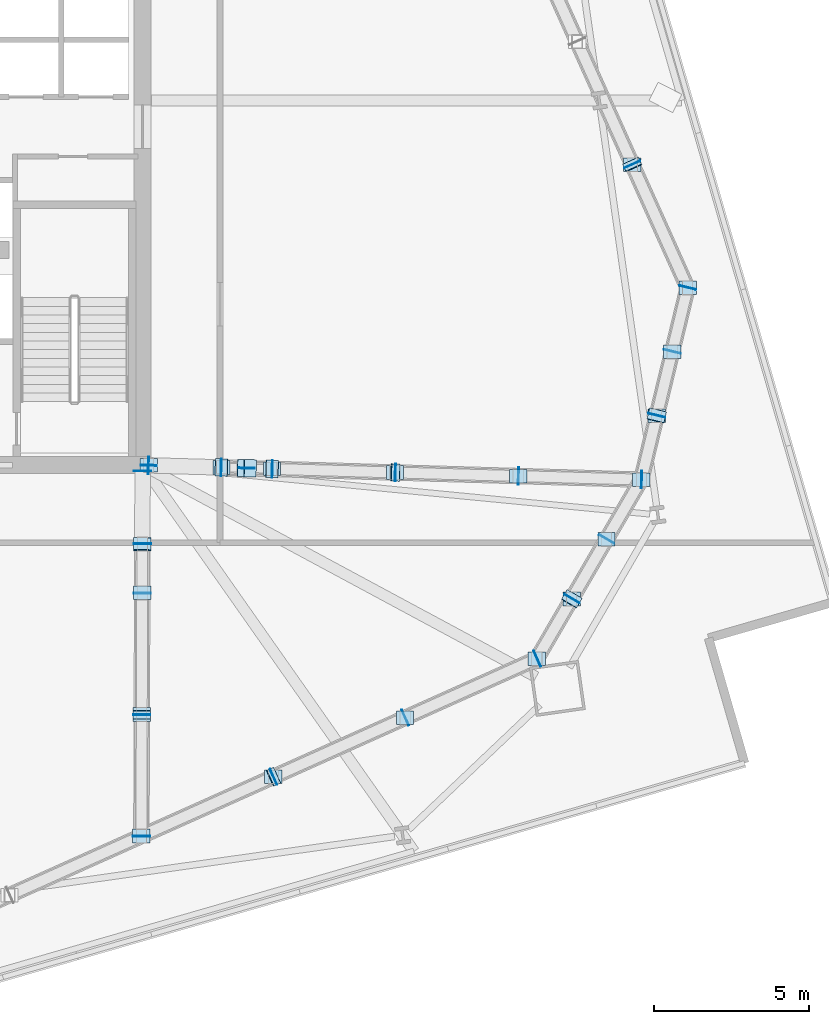
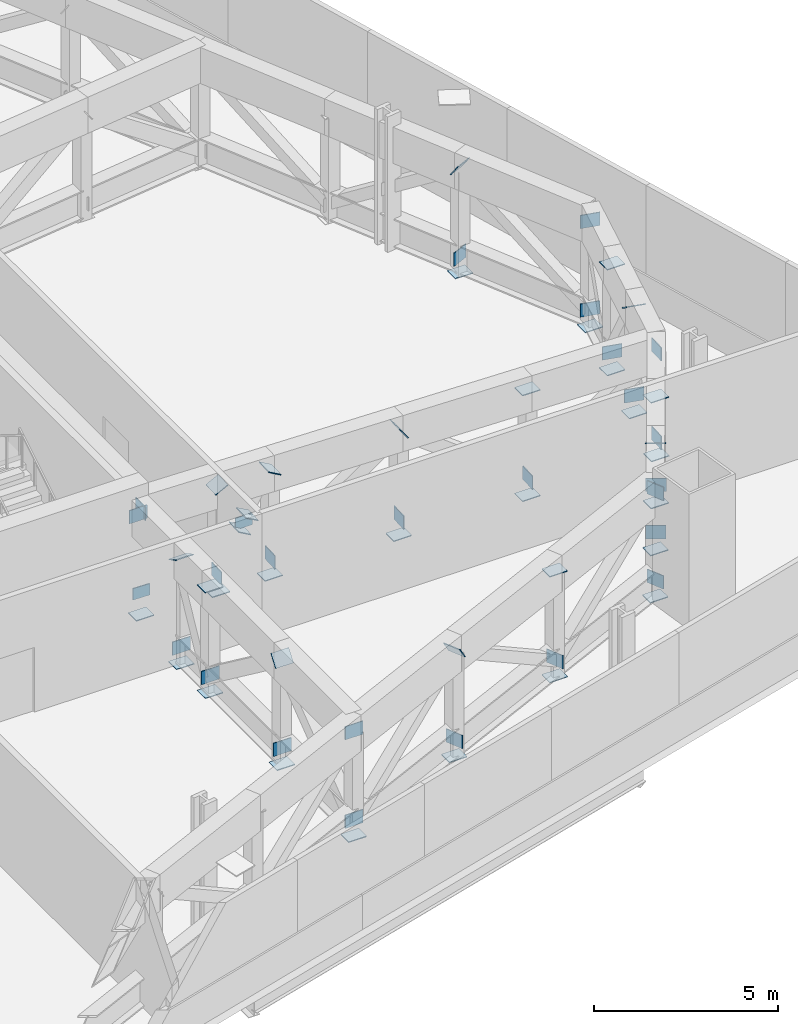
# One storey, part 9 of 19: 61 plates.
"""IFC4 building model written with IfcOpenShell, lengths in metres."""

import ifcopenshell
import ifcopenshell.guid

model = None  # the IFC model being written
_history = None  # IfcOwnerHistory: only IFC2X3 demands one
_inside = {}  # id of a spatial element -> (the spatial element, [elements in it])
_under = {}  # id of a project, library or spatial element -> (it, [spatial elements below it])
_declared = {}  # id of a project -> (the project, [libraries it declares])
_typed = {}  # id of a type object -> (the type object, [elements of that type])
_made_of = {}  # id of a material, layer set ... -> (it, [elements and type objects made of it])


def new_model(schema):
    """Start an empty IFC model of exactly this schema.

    Asked for "IFC4X3", IfcOpenShell would pick the latest addendum, in which some entities
    have other attributes; the version numbers below select the first issue.
    IFC2X3 requires an IfcOwnerHistory on every rooted entity: one is made here for all.
    """
    global model, _history
    if schema == "IFC4X3":
        model = ifcopenshell.file(schema_version=(4, 3, 0, 0))
    else:
        model = ifcopenshell.file(schema=schema)
    _inside.clear()
    _under.clear()
    _declared.clear()
    _typed.clear()
    _made_of.clear()
    _history = None
    if model.schema == "IFC2X3":
        org = make("IfcOrganization", Name="unknown")
        user = make(
            "IfcPersonAndOrganization",
            ThePerson=make("IfcPerson", FamilyName="unknown"),
            TheOrganization=org,
        )
        app = make(
            "IfcApplication",
            ApplicationDeveloper=org,
            Version="unknown",
            ApplicationFullName="unknown",
            ApplicationIdentifier="unknown",
        )
        _history = make(
            "IfcOwnerHistory",
            OwningUser=user,
            OwningApplication=app,
            ChangeAction="ADDED",
            CreationDate=0,
        )
    return model


def make(cls, **values):
    """One entity of the class cls with the attributes given. An attribute that is None is left unset."""
    return model.create_entity(
        cls, **{name: value for name, value in values.items() if value is not None}
    )


def rooted(cls, **values):
    """An entity with a GlobalId (a new one), such as an element, a storey or a relation."""
    return make(cls, GlobalId=ifcopenshell.guid.new(), OwnerHistory=_history, **values)


def si_unit(unit_type, name, prefix=None):
    """IfcSIUnit, for example si_unit("LENGTHUNIT", "METRE", prefix="MILLI")."""
    return make("IfcSIUnit", UnitType=unit_type, Prefix=prefix, Name=name)


def assignment(units):
    """IfcUnitAssignment: the units of a project."""
    return None if units is None else make("IfcUnitAssignment", Units=units)


def point(xyz):
    """IfcCartesianPoint."""
    return None if xyz is None else make("IfcCartesianPoint", Coordinates=xyz)


def direction(xyz):
    """IfcDirection."""
    return None if xyz is None else make("IfcDirection", DirectionRatios=xyz)


def frame(location, z_axis=None, x_axis=None):
    """IfcAxis2Placement3D, a coordinate frame: its origin and axes. An axis left out is left unset."""
    return make(
        "IfcAxis2Placement3D",
        Location=point(location),
        Axis=direction(z_axis),
        RefDirection=direction(x_axis),
    )


def frame_2d(location, x_axis=None):
    """IfcAxis2Placement2D, a coordinate frame in the plane: its origin and x axis."""
    return make(
        "IfcAxis2Placement2D", Location=point(location), RefDirection=direction(x_axis)
    )


def origin():
    """The frame at (0, 0, 0) with its axes left unset."""
    return frame((0.0, 0.0, 0.0))


def origin_2d():
    """The frame at (0, 0) in the plane with its x axis left unset."""
    return frame_2d((0.0, 0.0))


def place(relative_to, where):
    """IfcLocalPlacement: puts the frame where relative to a parent placement (None: the world)."""
    return make(
        "IfcLocalPlacement", PlacementRelTo=relative_to, RelativePlacement=where
    )


def context(
    kind, dimensions, precision=None, world=None, true_north=None, identifier=None
):
    """IfcGeometricRepresentationContext, for example the 3D "Model" context."""
    return make(
        "IfcGeometricRepresentationContext",
        ContextIdentifier=identifier,
        ContextType=kind,
        CoordinateSpaceDimension=dimensions,
        Precision=precision,
        WorldCoordinateSystem=world,
        TrueNorth=true_north,
    )


def subcontext(parent, identifier, kind, view, scale=None):
    """IfcGeometricRepresentationSubContext, for example "Body" below "Model"."""
    return make(
        "IfcGeometricRepresentationSubContext",
        ContextIdentifier=identifier,
        ContextType=kind,
        ParentContext=parent,
        TargetScale=scale,
        TargetView=view,
    )


def project(units=None, contexts=None):
    """IfcProject with its units and contexts."""
    return rooted(
        "IfcProject",
        Name="project",
        RepresentationContexts=contexts,
        UnitsInContext=assignment(units),
    )


def spatial(cls, under=None, at=None, **own):
    """A site, building, storey or space (cls), placed at a placement, below another one or the project."""
    s = rooted(cls, ObjectPlacement=at, **own)
    if under is not None:
        _under.setdefault(under.id(), (under, []))[1].append(s)
    return s


def profile(cls, at=None, kind="AREA", **sizes):
    """A parametric profile (cls). Its sizes go by their IFC names, for example OverallWidth=200.0."""
    return make(cls, ProfileType=kind, Position=at, **sizes)


def rectangle(**sizes):
    """IfcRectangleProfileDef."""
    return profile("IfcRectangleProfileDef", **sizes)


def extrude(swept, where, along, depth):
    """IfcExtrudedAreaSolid: the profile swept, set in the frame where, extruded along a direction by depth."""
    return make(
        "IfcExtrudedAreaSolid",
        SweptArea=swept,
        Position=where,
        ExtrudedDirection=direction(along),
        Depth=depth,
    )


def shape(context_of_items, identifier, shape_type, items):
    """IfcShapeRepresentation: the items that make up one representation, for example the "Body"."""
    return make(
        "IfcShapeRepresentation",
        ContextOfItems=context_of_items,
        RepresentationIdentifier=identifier,
        RepresentationType=shape_type,
        Items=items,
    )


def source(mapping_origin, context_of_items, identifier, shape_type, items):
    """IfcRepresentationMap: a shape defined once, which mapped items show again and again."""
    return make(
        "IfcRepresentationMap",
        MappingOrigin=mapping_origin,
        MappedRepresentation=shape(context_of_items, identifier, shape_type, items),
    )


def transform(
    local_origin,
    x_axis=None,
    y_axis=None,
    z_axis=None,
    scale=None,
    scale2=None,
    scale3=None,
    uniform=True,
):
    """IfcCartesianTransformationOperator3D, or its non-uniform kind. x_axis, y_axis, z_axis: its Axis1, 2, 3."""
    if uniform:
        return make(
            "IfcCartesianTransformationOperator3D",
            Axis1=direction(x_axis),
            Axis2=direction(y_axis),
            LocalOrigin=point(local_origin),
            Scale=scale,
            Axis3=direction(z_axis),
        )
    return make(
        "IfcCartesianTransformationOperator3DnonUniform",
        Axis1=direction(x_axis),
        Axis2=direction(y_axis),
        LocalOrigin=point(local_origin),
        Scale=scale,
        Axis3=direction(z_axis),
        Scale2=scale2,
        Scale3=scale3,
    )


def mapped(mapping_source, mapping_target):
    """IfcMappedItem: shows the shape of a source again, moved by a transform."""
    return make(
        "IfcMappedItem", MappingSource=mapping_source, MappingTarget=mapping_target
    )


def material(Name=None, Category=None):
    """IfcMaterial."""
    return make("IfcMaterial", Name=Name, Category=Category)


def layer(
    of_material, thickness, ventilated=None, Name=None, Category=None, Priority=None
):
    """IfcMaterialLayer: one layer of a wall or slab, of a material (None: an air gap)."""
    return make(
        "IfcMaterialLayer",
        Material=of_material,
        LayerThickness=thickness,
        IsVentilated=ventilated,
        Name=Name,
        Category=Category,
        Priority=Priority,
    )


def layer_set(layers, Name=None):
    """IfcMaterialLayerSet."""
    return make("IfcMaterialLayerSet", MaterialLayers=layers, LayerSetName=Name)


def made_of(thing, what):
    """Note that an element or type object is made of a material, layer set ...; save() writes the relation."""
    if what is not None:
        _made_of.setdefault(what.id(), (what, []))[1].append(thing)
    return thing


def type_object(cls, material=None, **own):
    """A type object (cls), such as IfcWallType, which elements share."""
    return made_of(rooted(cls, **own), material)


def element(
    cls,
    number,
    at=None,
    inside=None,
    cuts=None,
    type_object=None,
    material=None,
    context=None,
    identifier="Body",
    shape_type=None,
    held_by="IfcProductDefinitionShape",
    body=None,
    shapes=None,
    **own,
):
    """One element of the class cls, such as IfcWall. Its Tag is "e" and its number.

    at: its placement. inside: the storey or other place that contains it. cuts: it is an
    opening in that element (IfcRelVoidsElement). A single representation is given by context,
    identifier, shape_type and body (its items); several are given by shapes. held_by: the class
    of the entity that holds the representations. save() writes the other relations.
    """
    e = rooted(cls, Tag="e%d" % number, ObjectPlacement=at, **own)
    if body is not None:
        shapes = [shape(context, identifier, shape_type, body)]
    if shapes is not None:
        e.Representation = make(held_by, Representations=shapes)
    if inside is not None:
        _inside.setdefault(inside.id(), (inside, []))[1].append(e)
    if cuts is not None:
        rooted(
            "IfcRelVoidsElement", RelatingBuildingElement=cuts, RelatedOpeningElement=e
        )
    if type_object is not None:
        _typed.setdefault(type_object.id(), (type_object, []))[1].append(e)
    return made_of(e, material)


def aggregate(whole, parts):
    """IfcRelAggregates: a whole, such as a stair, and the parts it consists of."""
    return rooted("IfcRelAggregates", RelatingObject=whole, RelatedObjects=parts)


def save(model, path):
    """Write the relations noted so far, then the file.

    IfcRelAggregates (storeys below a building ...), IfcRelContainedInSpatialStructure (elements
    in a storey), IfcRelDefinesByType, IfcRelAssociatesMaterial and IfcRelDeclares: one each for
    every whole, place, type object, material and project.
    """
    for whole, parts in _under.values():
        aggregate(whole, parts)
    for where, things in _inside.values():
        rooted(
            "IfcRelContainedInSpatialStructure",
            RelatedElements=things,
            RelatingStructure=where,
        )
    for kind, things in _typed.values():
        rooted("IfcRelDefinesByType", RelatedObjects=things, RelatingType=kind)
    for what, things in _made_of.values():
        rooted("IfcRelAssociatesMaterial", RelatedObjects=things, RelatingMaterial=what)
    for by, libraries in _declared.values():
        rooted("IfcRelDeclares", RelatingContext=by, RelatedDefinitions=libraries)
    model.write(path)


model = new_model("IFC4")

# Units and contexts
model_context = context("Model", 3, precision=1e-05, world=origin(), true_north=direction((0.0, 1.0)))
body_context = subcontext(model_context, "Body", "Model", "MODEL_VIEW")
ifc_project = project(units=[si_unit("LENGTHUNIT", "METRE"), si_unit("AREAUNIT", "SQUARE_METRE"), si_unit("VOLUMEUNIT", "CUBIC_METRE"), si_unit("PLANEANGLEUNIT", "RADIAN"), si_unit("MASSUNIT", "GRAM", prefix="KILO")], contexts=[model_context])

# Site, building, storey
site_placement = place(None, origin())
site = spatial("IfcSite", under=ifc_project, at=site_placement, CompositionType="ELEMENT")
building_placement = place(site_placement, origin())
building = spatial("IfcBuilding", under=site, at=building_placement, Name="Haldenkirk Collegiate Tower", CompositionType="ELEMENT")
storey_placement = place(building_placement, frame((0.0, 0.0, 81.449951171875)))
storey = spatial("IfcBuildingStorey", under=building, at=storey_placement, Name="L19", CompositionType="ELEMENT", Elevation=81.449951171875)

# Plates
ifc_material = material(Name="Steel ASTM A572 Grade 50", Category="steel")
ifc_layer_1 = layer(ifc_material, 0.028076171875)
ifc_layer_set_1 = layer_set([ifc_layer_1], Name="Steel ASTM A572 Grade 50")
plate_type_1 = type_object("IfcPlateType", Name="PLT-CAP-INT-560X440", PredefinedType="USERDEFINED", material=ifc_layer_set_1)
shared_shape_1 = source(origin(), body_context, "Body", "SweptSolid", [
    extrude(rectangle(XDim=0.56005859375, YDim=0.43994140625, at=origin_2d()), origin(), (0.0, 0.0, 1.0), 0.028076171875),
])
for number, where, z_axis, x_axis, name in (
    (1, (45.202880859375, 17.993896484375, 3.489990234375), (-0.999580426009, 0.028965012345, 0.0), (-0.028965012345, -0.999580426009, 0.0), "Outrigger Truss L19 Radial 02 top chord 1 end cap plate 1"),
    (2, (47.552978515625, 17.926025390625, 0.550048828125), (-0.999580049537, 0.028978001436, 0.0), (-0.028978001436, -0.999580049537, 0.0), "Outrigger Truss L19 Radial 02 bottom chord 2 end plate 1"),
    (3, (49.175048828125, 17.879150390625, 0.550048828125), (0.999580049537, -0.028978001436, 0.0), (0.028978001436, 0.999580049537, 0.0), "Outrigger Truss L19 Radial 02 bottom chord 2 end plate 2"),
    (4, (47.551513671875, 17.926025390625, 3.487548828125), (-0.484359258078, 0.014044007483, 0.874756466091), (-0.028982196171, -0.999579927922, 3.5776e-07), "Outrigger Truss L19 Radial 02 web diagonal 2 end cap plate 1"),
    (5, (48.246337890625, 17.906005859375, 1.8076171875), (0.484398155222, -0.014022004493, 0.874735280303), (0.028935806315, 0.99958127189, -3.63668e-07), "Outrigger Truss L19 Radial 02 split X-brace diagonal 2A end cap plate 2"),
    (6, (48.481689453125, 17.899169921875, 2.232666015625), (-0.484344871944, 0.014022996292, -0.874764768721), (-0.028940091566, -0.999581147832, -1.57513e-07), "Outrigger Truss L19 Radial 02 split X-brace diagonal 2B end cap plate 1"),
    (7, (49.17626953125, 17.87890625, 3.487548828125), (0.484344871944, -0.014022996292, 0.874764768721), (0.028940091566, 0.999581147832, 1.57513e-07), "Outrigger Truss L19 Radial 02 split X-brace diagonal 2B end cap plate 2"),
    (8, (53.153076171875, 17.763671875, 0.550048828125), (0.999580049537, -0.028978001436, 0.0), (0.028978001436, 0.999580049537, 0.0), "Outrigger Truss L19 Radial 02 bottom chord 3 end plate 2"),
    (9, (53.153564453125, 17.763427734375, 3.48828125), (0.803990019093, -0.023303000553, 0.59418601411), (0.028972018098, 0.999580222977, 8.592e-09), "Outrigger Truss L19 Radial 02 web diagonal 3 end cap plate 2"),
    (10, (57.131103515625, 17.6484375, 0.550048828125), (0.999580049537, -0.028978001436, 0.0), (0.028978001436, 0.999580049537, 0.0), "Outrigger Truss L19 Radial 02 bottom chord 4 end plate 2"),
    (11, (61.109130859375, 17.533203125, 3.489990234375), (0.999580223314, -0.028972006473, 0.0), (0.028972006473, 0.999580223314, 0.0), "Outrigger Truss L19 Radial 02 top chord 5 end cap plate 2"),
    (12, (61.109130859375, 17.533203125, 0.550048828125), (0.999580049537, -0.028978001436, 0.0), (0.028978001436, 0.999580049537, 0.0), "Outrigger Truss L19 Radial 02 bottom chord 5 end plate 2"),
    (13, (45.199951171875, 17.994140625, 0.0029296875), (0.0, 0.0, -1.0), (1.0, 0.0, 0.0), "Outrigger Truss L19 Radial 02 vertical post 1 end cap plate 1"),
    (14, (47.550048828125, 17.926025390625, 0.0029296875), (0.0, 0.0, -1.0), (1.0, 0.0, 0.0), "Outrigger Truss L19 Radial 02 vertical post 2 end cap plate 1"),
    (15, (49.177978515625, 17.87890625, 0.0029296875), (0.0, 0.0, -1.0), (1.0, 0.0, 0.0), "Outrigger Truss L19 Radial 02 vertical post 3 end cap plate 1"),
    (16, (53.156005859375, 17.763671875, 0.0029296875), (0.0, 0.0, -1.0), (1.0, 0.0, 0.0), "Outrigger Truss L19 Radial 02 vertical post 4 end cap plate 1"),
    (17, (57.134033203125, 17.648193359375, 0.0029296875), (0.0, 0.0, -1.0), (1.0, 0.0, 0.0), "Outrigger Truss L19 Radial 02 vertical post 5 end cap plate 1"),
    (18, (57.134033203125, 17.648193359375, 3.48681640625), (0.0, 0.0, 1.0), (1.0, 0.0, 0.0), "Outrigger Truss L19 Radial 02 vertical post 5 end cap plate 2"),
    (19, (61.112060546875, 17.532958984375, 0.0029296875), (0.0, 0.0, -1.0), (1.0, 0.0, 0.0), "Outrigger Truss L19 Radial 02 vertical post 6 end cap plate 1"),
    (20, (44.999267578125, 17.797119140625, 3.489990234375), (0.003362001172, 0.999994348458, 0.0), (-0.999994348458, 0.003362001172, 0.0), "Outrigger Truss L19 Radial 05 top chord 1 end cap plate 1"),
    (21, (44.991455078125, 15.447021484375, 0.550048828125), (0.003344001367, 0.999994408812, 0.0), (-0.999994408812, 0.003344001367, 0.0), "Outrigger Truss L19 Radial 05 bottom chord 2 end plate 1"),
    (22, (44.986083984375, 13.875, 0.550048828125), (-0.003344001367, -0.999994408812, 0.0), (0.999994408812, -0.003344001367, 0.0), "Outrigger Truss L19 Radial 05 bottom chord 2 end plate 2"),
    (23, (44.991455078125, 15.448486328125, 3.4873046875), (0.001558000299, 0.47287309076, 0.881129169118), (-0.999994569113, 0.003295716178, -5.26208e-07), "Outrigger Truss L19 Radial 05 web diagonal 2 end cap plate 1"),
    (24, (44.972900390625, 9.947509765625, 0.550048828125), (-0.003344001367, -0.999994408812, 0.0), (0.999994408812, -0.003344001367, 0.0), "Outrigger Truss L19 Radial 05 bottom chord 3 end plate 2"),
    (25, (44.972900390625, 9.947021484375, 3.48828125), (-0.002689999834, -0.800561950573, 0.599243963003), (0.999994353716, -0.003360436769, -4.2248e-07), "Outrigger Truss L19 Radial 05 web diagonal 3 end cap plate 2"),
    (26, (44.9599609375, 6.01953125, 3.489990234375), (-0.003335001464, -0.999994438867, 0.0), (0.999994438867, -0.003335001464, 0.0), "Outrigger Truss L19 Radial 05 top chord 4 end cap plate 2"),
    (27, (44.9599609375, 6.01953125, 0.550048828125), (-0.003344001367, -0.999994408812, 0.0), (0.999994408812, -0.003344001367, 0.0), "Outrigger Truss L19 Radial 05 bottom chord 4 end plate 2"),
    (28, (44.991455078125, 15.449951171875, 0.0029296875), (0.0, 0.0, -1.0), (1.0, 0.0, 0.0), "Outrigger Truss L19 Radial 05 vertical post 2 end cap plate 1"),
    (29, (44.986083984375, 13.872314453125, 0.0029296875), (0.0, 0.0, -1.0), (1.0, 0.0, 0.0), "Outrigger Truss L19 Radial 05 vertical post 3 end cap plate 1"),
    (30, (44.986083984375, 13.872314453125, 3.48681640625), (0.0, 0.0, 1.0), (1.0, 0.0, 0.0), "Outrigger Truss L19 Radial 05 vertical post 3 end cap plate 2"),
    (31, (44.972900390625, 9.944580078125, 0.0029296875), (0.0, 0.0, -1.0), (1.0, 0.0, 0.0), "Outrigger Truss L19 Radial 05 vertical post 4 end cap plate 1"),
    (32, (44.9599609375, 6.0166015625, 0.0029296875), (0.0, 0.0, -1.0), (1.0, 0.0, 0.0), "Outrigger Truss L19 Radial 05 vertical post 5 end cap plate 1"),
    (33, (49.216552734375, 7.925048828125, 0.550048828125), (0.912474800481, 0.40913291054, 0.0), (-0.40913291054, 0.912474800481, 0.0), "Belt Truss L19-03 bottom chord 1 end plate 2"),
    (34, (49.217041015625, 7.925537109375, 3.48828125), (0.772099187709, 0.346188084164, 0.532932129564), (-0.409129558843, 0.912476303298, 3.31687e-07), "Belt Truss L19-03 web diagonal 1 end cap plate 2"),
    (35, (53.47607421875, 9.8349609375, 0.550048828125), (0.912474800481, 0.40913291054, 0.0), (-0.40913291054, 0.912474800481, 0.0), "Belt Truss L19-03 bottom chord 2 end plate 2"),
    (36, (57.735595703125, 11.744873046875, 3.489990234375), (0.912476087837, 0.409130039384, 0.0), (-0.409130039384, 0.912476087837, 0.0), "Belt Truss L19-03 top chord 3 end cap plate 2"),
    (37, (57.735595703125, 11.744873046875, 0.550048828125), (0.912474800481, 0.40913291054, 0.0), (-0.40913291054, 0.912474800481, 0.0), "Belt Truss L19-03 bottom chord 3 end plate 2"),
    (38, (49.21923828125, 7.926513671875, 0.0029296875), (0.0, 0.0, -1.0), (1.0, 0.0, 0.0), "Belt Truss L19-03 vertical post 2 end cap plate 1"),
    (39, (53.478759765625, 9.83642578125, 0.0029296875), (0.0, 0.0, -1.0), (1.0, 0.0, 0.0), "Belt Truss L19-03 vertical post 3 end cap plate 1"),
    (40, (53.478759765625, 9.83642578125, 3.48681640625), (0.0, 0.0, 1.0), (1.0, 0.0, 0.0), "Belt Truss L19-03 vertical post 3 end cap plate 2"),
    (41, (57.73828125, 11.74609375, 0.0029296875), (0.0, 0.0, -1.0), (1.0, 0.0, 0.0), "Belt Truss L19-03 vertical post 4 end cap plate 1"),
    (42, (58.861328125, 13.67236328125, 0.550048828125), (0.503673167682, 0.863894287606, 0.0), (-0.863894287606, 0.503673167682, 0.0), "Belt Truss L19-04 bottom chord 1 end plate 2"),
    (43, (58.86181640625, 13.673583984375, 3.487548828125), (0.304626065553, 0.522490112435, 0.796371171372), (-0.863894145079, 0.503673412141, 3.72602e-07), "Belt Truss L19-04 web diagonal 1 end cap plate 2"),
    (44, (59.98583984375, 15.601318359375, 0.550048828125), (0.503673167682, 0.863894287606, 0.0), (-0.863894287606, 0.503673167682, 0.0), "Belt Truss L19-04 bottom chord 2 end plate 2"),
    (45, (58.86279296875, 13.675048828125, 0.0029296875), (0.0, 0.0, -1.0), (1.0, 0.0, 0.0), "Belt Truss L19-04 vertical post 2 end cap plate 1"),
    (46, (59.9873046875, 15.60400390625, 0.0029296875), (0.0, 0.0, -1.0), (1.0, 0.0, 0.0), "Belt Truss L19-04 vertical post 3 end cap plate 1"),
    (47, (59.9873046875, 15.60400390625, 3.48681640625), (0.0, 0.0, 1.0), (1.0, 0.0, 0.0), "Belt Truss L19-04 vertical post 3 end cap plate 2"),
    (48, (61.610107421875, 19.5947265625, 0.550048828125), (0.234844961589, 0.972032841017, 0.0), (-0.972032841017, 0.234844961589, 0.0), "Belt Truss L19-05 bottom chord 1 end plate 2"),
    (49, (61.6103515625, 19.595947265625, 3.487548828125), (0.137547955657, 0.569268816479, 0.81056373869), (-0.972028417283, 0.234863270849, 2.28739e-07), "Belt Truss L19-05 web diagonal 1 end cap plate 2"),
    (50, (62.10888671875, 21.65966796875, 0.550048828125), (0.234844961589, 0.972032841017, 0.0), (-0.972032841017, 0.234844961589, 0.0), "Belt Truss L19-05 bottom chord 2 end plate 2"),
    (51, (62.607666015625, 23.724365234375, 3.489990234375), (0.234863110203, 0.972028456099, 0.0), (-0.972028456099, 0.234863110203, 0.0), "Belt Truss L19-05 top chord 3 end cap plate 2"),
    (52, (62.607666015625, 23.724365234375, 0.550048828125), (0.234844961589, 0.972032841017, 0.0), (-0.972032841017, 0.234844961589, 0.0), "Belt Truss L19-05 bottom chord 3 end plate 2"),
    (53, (61.61083984375, 19.59765625, 0.0029296875), (0.0, 0.0, -1.0), (1.0, 0.0, 0.0), "Belt Truss L19-05 vertical post 2 end cap plate 1"),
    (54, (62.109619140625, 21.66259765625, 0.0029296875), (0.0, 0.0, -1.0), (1.0, 0.0, 0.0), "Belt Truss L19-05 vertical post 3 end cap plate 1"),
    (55, (62.109619140625, 21.66259765625, 3.48681640625), (0.0, 0.0, 1.0), (1.0, 0.0, 0.0), "Belt Truss L19-05 vertical post 3 end cap plate 2"),
    (56, (62.608642578125, 23.727294921875, 0.0029296875), (0.0, 0.0, -1.0), (1.0, 0.0, 0.0), "Belt Truss L19-05 vertical post 4 end cap plate 1"),
    (57, (60.825439453125, 27.70458984375, 0.550048828125), (-0.409123923736, 0.912478829906, 0.0), (-0.912478829906, -0.409123923736, 0.0), "Belt Truss L19-06 bottom chord 1 end plate 2"),
    (58, (60.8251953125, 27.704833984375, 3.48828125), (-0.339258112847, 0.756634251677, 0.558935185917), (-0.912474460155, -0.409133669557, 3.30143e-07), "Belt Truss L19-06 web diagonal 1 end cap plate 2"),
    (59, (60.82421875, 27.707275390625, 0.0029296875), (0.0, 0.0, -1.0), (1.0, 0.0, 0.0), "Belt Truss L19-06 vertical post 2 end cap plate 1"),
):
    element("IfcPlate", number, at=place(storey_placement, frame(where, z_axis=z_axis, x_axis=x_axis)), inside=storey, type_object=plate_type_1, Name=name, ObjectType="END CAP PLATE", PredefinedType="USERDEFINED", context=body_context, shape_type="MappedRepresentation", body=[
        mapped(shared_shape_1, transform((0.0, 0.0, 0.0), x_axis=(1.0, 0.0, 0.0), y_axis=(0.0, 1.0, 0.0), z_axis=(0.0, 0.0, 1.0), scale=1.0)),
    ])
ifc_layer_2 = layer(ifc_material, 0.031982421875)
ifc_layer_set_2 = layer_set([ifc_layer_2], Name="Steel ASTM A572 Grade 50")
plate_type_2 = type_object("IfcPlateType", Name="PLT-GUSSET-INT-520X380", PredefinedType="USERDEFINED", material=ifc_layer_set_2)
shared_shape_2 = source(origin(), body_context, "Body", "SweptSolid", [
    extrude(rectangle(XDim=0.52001953125, YDim=0.031982421875, at=origin_2d()), origin(), (0.0, 0.0, 1.0), 0.3798828125),
])
for number, where, z_axis, x_axis, name in (
    (60, (48.364013671875, 17.902587890625, 1.830078125), (0.0, 0.0, 1.0), (0.99958003967, -0.028978341789, 0.0), "Outrigger Truss L19 Radial 02 X-brace crossing gusset plate 2"),
    (61, (45.199951171875, 17.994140625, 0.550048828125), (0.0, 0.0, 1.0), (0.99958003967, -0.028978341789, 0.0), "Outrigger Truss L19 Radial 02 bottom node gusset plate 1"),
):
    element("IfcPlate", number, at=place(storey_placement, frame(where, z_axis=z_axis, x_axis=x_axis)), inside=storey, type_object=plate_type_2, Name=name, ObjectType="GUSSET PLATE", PredefinedType="USERDEFINED", context=body_context, shape_type="MappedRepresentation", body=[
        mapped(shared_shape_2, transform((0.0, 0.0, 0.0), x_axis=(1.0, 0.0, 0.0), y_axis=(0.0, 1.0, 0.0), z_axis=(0.0, 0.0, 1.0), scale=1.0)),
    ])

save(model, "model.ifc")
